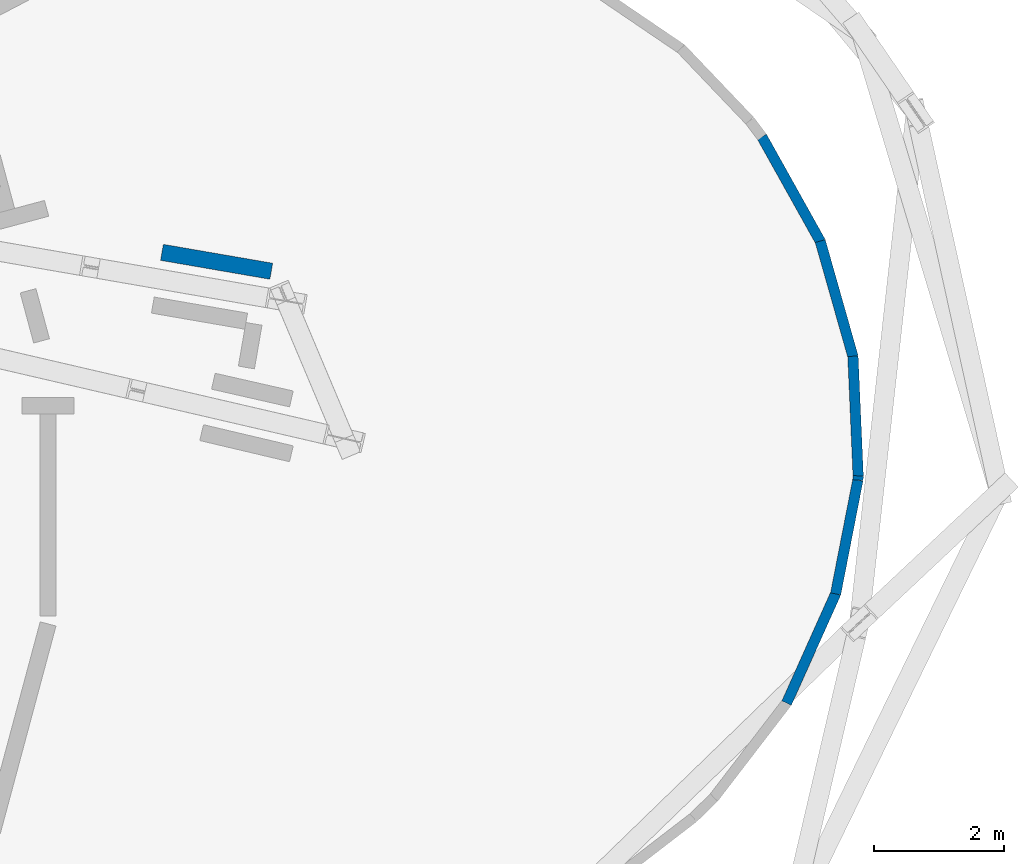
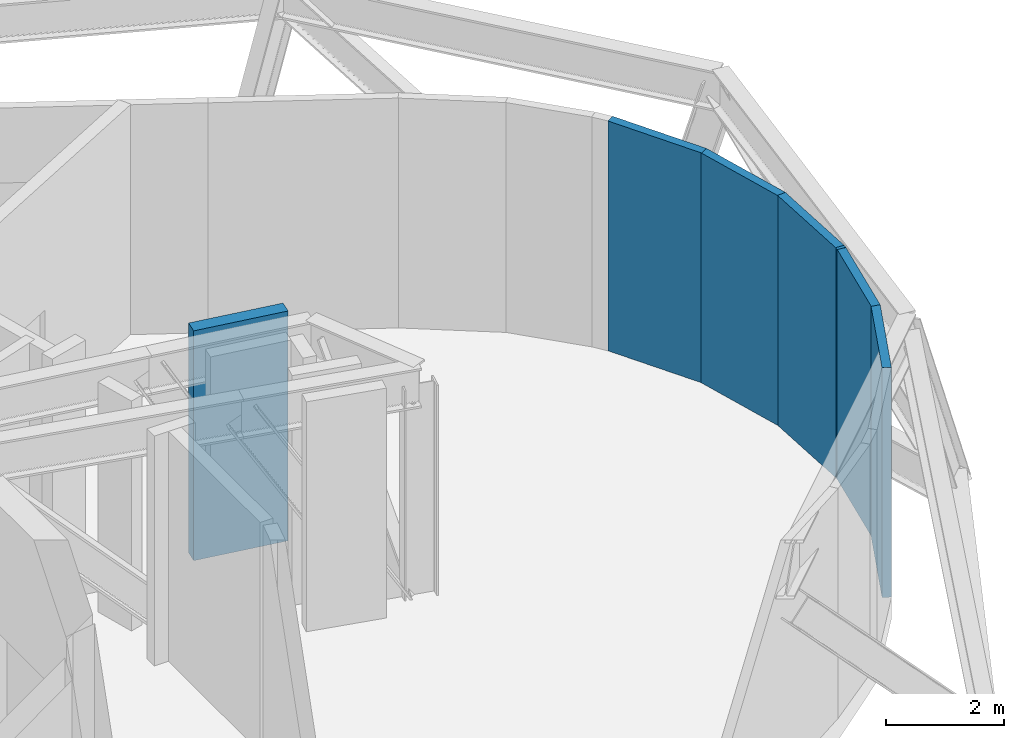
# One storey, part 8 of 12: 7 walls.
"""IFC4 building model written with IfcOpenShell, lengths in metres."""

from ifc_helpers import new_model, si_unit, direction, frame, frame_2d, origin, place, context, subcontext, project, spatial, rectangle, extrude, material, layer, layer_set, type_object, element, save


model = new_model("IFC4")

# Units and contexts
model_context = context("Model", 3, precision=1e-05, world=origin(), true_north=direction((0.0, 1.0)))
body_context = subcontext(model_context, "Body", "Model", "MODEL_VIEW")
ifc_project = project(units=[si_unit("LENGTHUNIT", "METRE"), si_unit("AREAUNIT", "SQUARE_METRE"), si_unit("VOLUMEUNIT", "CUBIC_METRE"), si_unit("PLANEANGLEUNIT", "RADIAN"), si_unit("MASSUNIT", "GRAM", prefix="KILO")], contexts=[model_context])

# Site, building, storey
site_placement = place(None, origin())
site = spatial("IfcSite", under=ifc_project, at=site_placement, CompositionType="ELEMENT")
building_placement = place(site_placement, origin())
building = spatial("IfcBuilding", under=site, at=building_placement, Name="Spindle Arch Residences", CompositionType="ELEMENT")
storey_placement = place(building_placement, frame((0.0, 0.0, 258.199951171875)))
storey = spatial("IfcBuildingStorey", under=building, at=storey_placement, Name="L66", CompositionType="ELEMENT", Elevation=258.199951171875)

# Walls
ifc_material_1 = material(Name="Non-combustible mineral wool insulated aluminium faced external wall (K0)", Category="aluminium")
ifc_layer_1 = layer(ifc_material_1, 0.159912109375)
ifc_layer_set_1 = layer_set([ifc_layer_1], Name="Insulated external wall panel 160")
wall_type_1 = type_object("IfcWallType", Name="Insulated external wall panel 160", PredefinedType="STANDARD", material=ifc_layer_set_1)
wall_1_placement = place(storey_placement, frame((26.44873046875, -3.205810546875, 0.0), z_axis=(0.0, 0.0, 1.0), x_axis=(0.40935930532, 0.912373256484, 0.0)))
element("IfcWall", 1, at=wall_1_placement, inside=storey, type_object=wall_type_1, Name="Plant wall L66 bay 3.3", PredefinedType="STANDARD", context=body_context, shape_type="SweptSolid", body=[
    extrude(rectangle(XDim=1.84814453125, YDim=0.159912109375, at=frame_2d((0.924072265625, 0.0))), origin(), (0.0, 0.0, 1.0), 4.75),
])
wall_2_placement = place(storey_placement, frame((27.202392578125, -1.5283203125, 0.0), z_axis=(0.0, 0.0, 1.0), x_axis=(0.191845193918, 0.981425199172, 0.0)))
element("IfcWall", 2, at=wall_2_placement, inside=storey, type_object=wall_type_1, Name="Plant wall L66 bay 3.4", PredefinedType="STANDARD", context=body_context, shape_type="SweptSolid", body=[
    extrude(rectangle(XDim=1.78173828125, YDim=0.159912109375, at=frame_2d((0.890869140625, 0.0))), origin(), (0.0, 0.0, 1.0), 4.75),
])
wall_3_placement = place(storey_placement, frame((27.544189453125, 0.22021484375, 0.0), z_axis=(0.0, 0.0, 1.0), x_axis=(0.078997625987, 0.99687480412, 0.0)))
element("IfcWall", 3, at=wall_3_placement, inside=storey, type_object=wall_type_1, Name="Plant wall L66 bay 4.1", PredefinedType="STANDARD", context=body_context, shape_type="SweptSolid", body=[
    extrude(rectangle(XDim=0.06494140625, YDim=0.159912109375, at=frame_2d((0.032470703125, 0.0))), origin(), (0.0, 0.0, 1.0), 4.75),
])
wall_4_placement = place(storey_placement, frame((27.54931640625, 0.280029296875, 0.0), z_axis=(0.0, 0.0, 1.0), x_axis=(-0.043775840119, 0.999041378433, 0.0)))
element("IfcWall", 4, at=wall_4_placement, inside=storey, type_object=wall_type_1, Name="Plant wall L66 bay 4.2", PredefinedType="STANDARD", context=body_context, shape_type="SweptSolid", body=[
    extrude(rectangle(XDim=1.845947265625, YDim=0.159912109375, at=frame_2d((0.9228515625, 0.0))), origin(), (0.0, 0.0, 1.0), 4.75),
])
wall_5_placement = place(storey_placement, frame((27.47021484375, 2.114990234375, 0.0), z_axis=(0.0, 0.0, 1.0), x_axis=(-0.272871538813, 0.962050478564, 0.0)))
element("IfcWall", 5, at=wall_5_placement, inside=storey, type_object=wall_type_1, Name="Plant wall L66 bay 4.3", PredefinedType="STANDARD", context=body_context, shape_type="SweptSolid", body=[
    extrude(rectangle(XDim=1.848388671875, YDim=0.159912109375, at=frame_2d((0.92431640625, 0.0))), origin(), (0.0, 0.0, 1.0), 4.75),
])
wall_6_placement = place(storey_placement, frame((26.969482421875, 3.884765625, 0.0), z_axis=(0.0, 0.0, 1.0), x_axis=(-0.487427123616, 0.873163672609, 0.0)))
element("IfcWall", 6, at=wall_6_placement, inside=storey, type_object=wall_type_1, Name="Plant wall L66 bay 4.4", PredefinedType="STANDARD", context=body_context, shape_type="SweptSolid", body=[
    extrude(rectangle(XDim=1.84619140625, YDim=0.159912109375, at=frame_2d((0.923095703125, 0.0))), origin(), (0.0, 0.0, 1.0), 4.75),
])
ifc_material_2 = material(Name="Concrete C25/30 wall", Category="concrete")
ifc_layer_2 = layer(ifc_material_2, 0.25)
ifc_layer_set_2 = layer_set([ifc_layer_2], Name="Partition EI 120 250 plant")
wall_type_2 = type_object("IfcWallType", Name="Partition EI 120 250 plant", PredefinedType="PARTITIONING", material=ifc_layer_set_2)
wall_7_placement = place(storey_placement, frame((18.530029296875, 3.429931640625, 0.0), z_axis=(0.0, 0.0, 1.0), x_axis=(-0.985421228399, 0.170132309161, 0.0)))
element("IfcWall", 7, at=wall_7_placement, inside=storey, type_object=wall_type_2, Name="L66-W069", PredefinedType="PARTITIONING", context=body_context, shape_type="SweptSolid", body=[
    extrude(rectangle(XDim=1.704833984375, YDim=0.25, at=frame_2d((0.8525390625, 0.0))), origin(), (0.0, 0.0, 1.0), 4.75),
])

save(model, "model.ifc")
